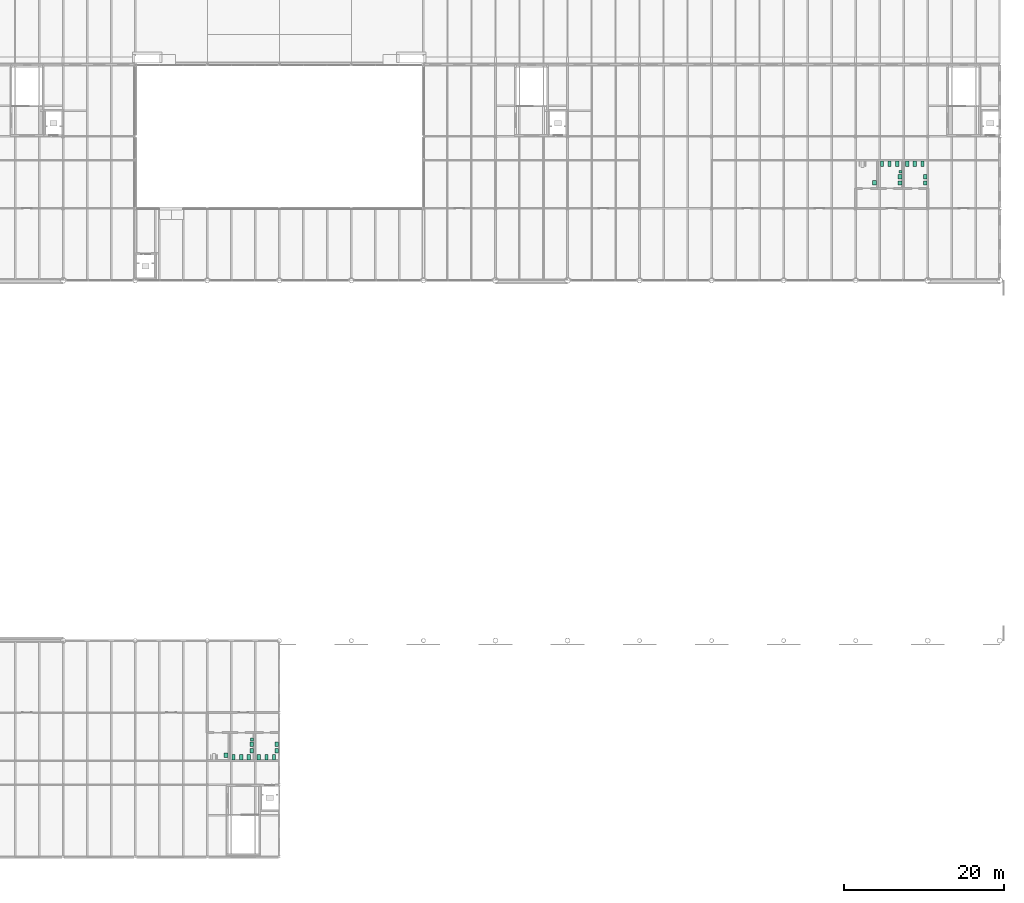
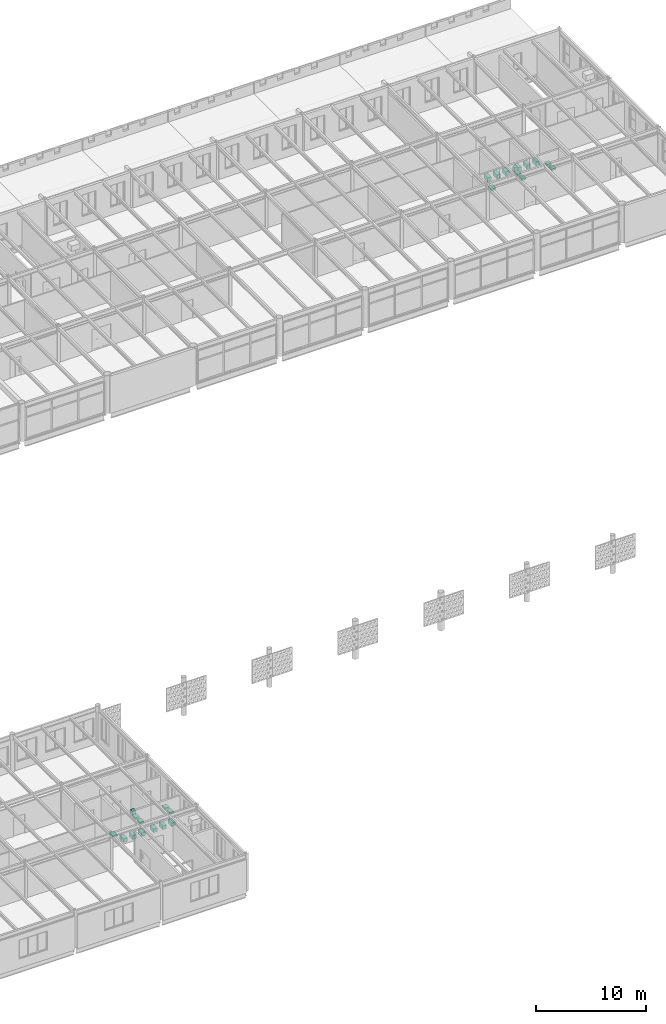
# One storey, part 122 of 123: 24 sanitary terminals.
"""IFC4 building model written with IfcOpenShell, lengths in metres."""

from ifc_helpers import new_model, si_unit, direction, frame, origin, origin_2d, place, context, subcontext, project, spatial, rectangle, extrude, material, type_object, element, save


model = new_model("IFC4")

# Units and contexts
model_context = context("Model", 3, precision=1e-05, world=origin(), true_north=direction((0.0, 1.0)))
body_context = subcontext(model_context, "Body", "Model", "MODEL_VIEW")
ifc_project = project(units=[si_unit("LENGTHUNIT", "METRE"), si_unit("AREAUNIT", "SQUARE_METRE"), si_unit("VOLUMEUNIT", "CUBIC_METRE"), si_unit("PLANEANGLEUNIT", "RADIAN"), si_unit("MASSUNIT", "GRAM", prefix="KILO")], contexts=[model_context])

# Site, building, storey
site_placement = place(None, origin())
site = spatial("IfcSite", under=ifc_project, at=site_placement, CompositionType="ELEMENT")
building_placement = place(site_placement, origin())
building = spatial("IfcBuilding", under=site, at=building_placement, Name="Baradari Gate Terminus", CompositionType="ELEMENT")
storey_placement = place(building_placement, frame((0.0, 0.0, 7.5)))
storey = spatial("IfcBuildingStorey", under=building, at=storey_placement, Name="L01", CompositionType="ELEMENT", Elevation=7.5)

# Sanitary terminals
ifc_material_1 = material(Name="Vitreous china", Category="ceramic")
sanitary_terminal_type_1 = type_object("IfcSanitaryTerminalType", Name="Accessible wash basin SW-6", PredefinedType="WASHHANDBASIN", material=ifc_material_1)
for number, where, z_axis, x_axis, name in (
    (1, (227.362548828125, 93.1875, 0.75), (0.0, 0.0, 1.0), (1.0, 0.0, 0.0), "Accessible wash basin Accessible WC"),
    (2, (146.362548828125, 21.6875, 0.75), (0.0, 0.0, 1.0), (1.0, 0.0, 0.0), "Accessible wash basin Accessible WC"),
):
    element("IfcSanitaryTerminal", number, at=place(storey_placement, frame(where, z_axis=z_axis, x_axis=x_axis)), inside=storey, type_object=sanitary_terminal_type_1, Name=name, PredefinedType="WASHHANDBASIN", context=body_context, shape_type="SweptSolid", body=[
        extrude(rectangle(XDim=0.5, YDim=0.60009765625, at=origin_2d()), origin(), (0.0, 0.0, 1.0), 0.199951171875),
    ])
ifc_material_2 = material(Name="Vitreous china", Category="ceramic")
sanitary_terminal_type_2 = type_object("IfcSanitaryTerminalType", Name="Urinal SW-3", PredefinedType="URINAL", material=ifc_material_2)
for number, where, z_axis, x_axis, name in (
    (3, (230.58740234375, 94.5625, 0.64990234375), (0.0, 0.0, 1.0), (1.0, 0.0, 0.0), "Urinal Male WC"),
    (4, (149.58740234375, 23.66259765625, 0.64990234375), (0.0, 0.0, 1.0), (1.0, 0.0, 0.0), "Urinal Male WC"),
):
    element("IfcSanitaryTerminal", number, at=place(storey_placement, frame(where, z_axis=z_axis, x_axis=x_axis)), inside=storey, type_object=sanitary_terminal_type_2, Name=name, PredefinedType="URINAL", context=body_context, shape_type="SweptSolid", body=[
        extrude(rectangle(XDim=0.35009765625, YDim=0.35009765625, at=origin_2d()), origin(), (0.0, 0.0, 1.0), 0.60009765625),
    ])
ifc_material_3 = material(Name="Vitreous china", Category="ceramic")
sanitary_terminal_type_3 = type_object("IfcSanitaryTerminalType", Name="WC pan SW-1", PredefinedType="TOILETPAN", material=ifc_material_3)
for number, where, z_axis, x_axis, name in (
    (5, (228.28759765625, 95.5625, 0.0), (0.0, 0.0, 1.0), (1.0, 0.0, 0.0), "WC pan Male WC"),
    (6, (229.237548828125, 95.5625, 0.0), (0.0, 0.0, 1.0), (1.0, 0.0, 0.0), "WC pan Male WC"),
    (7, (230.1875, 95.5625, 0.0), (0.0, 0.0, 1.0), (1.0, 0.0, 0.0), "WC pan Male WC"),
    (8, (231.4375, 95.5625, 0.0), (0.0, 0.0, 1.0), (1.0, 0.0, 0.0), "WC pan Female WC"),
    (9, (232.387451171875, 95.5625, 0.0), (0.0, 0.0, 1.0), (1.0, 0.0, 0.0), "WC pan Female WC"),
    (10, (233.33740234375, 95.5625, 0.0), (0.0, 0.0, 1.0), (1.0, 0.0, 0.0), "WC pan Female WC"),
    (11, (147.28759765625, 21.4375, 0.0), (0.0, 0.0, 1.0), (1.0, 0.0, 0.0), "WC pan Male WC"),
    (12, (148.237548828125, 21.4375, 0.0), (0.0, 0.0, 1.0), (1.0, 0.0, 0.0), "WC pan Male WC"),
    (13, (149.1875, 21.4375, 0.0), (0.0, 0.0, 1.0), (1.0, 0.0, 0.0), "WC pan Male WC"),
    (14, (150.4375, 21.4375, 0.0), (0.0, 0.0, 1.0), (1.0, 0.0, 0.0), "WC pan Female WC"),
    (15, (151.387451171875, 21.4375, 0.0), (0.0, 0.0, 1.0), (1.0, 0.0, 0.0), "WC pan Female WC"),
    (16, (152.33740234375, 21.4375, 0.0), (0.0, 0.0, 1.0), (1.0, 0.0, 0.0), "WC pan Female WC"),
):
    element("IfcSanitaryTerminal", number, at=place(storey_placement, frame(where, z_axis=z_axis, x_axis=x_axis)), inside=storey, type_object=sanitary_terminal_type_3, Name=name, PredefinedType="TOILETPAN", context=body_context, shape_type="SweptSolid", body=[
        extrude(rectangle(XDim=0.39990234375, YDim=0.699951171875, at=origin_2d()), origin(), (0.0, 0.0, 1.0), 0.419921875),
    ])
ifc_material_4 = material(Name="Vitreous china", Category="ceramic")
sanitary_terminal_type_4 = type_object("IfcSanitaryTerminalType", Name="Wash basin SW-2", PredefinedType="WASHHANDBASIN", material=ifc_material_4)
for number, where, z_axis, x_axis, name in (
    (17, (230.53759765625, 93.16259765625, 0.75), (0.0, 0.0, 1.0), (1.0, 0.0, 0.0), "Wash basin Male WC"),
    (18, (230.53759765625, 93.96240234375, 0.75), (0.0, 0.0, 1.0), (1.0, 0.0, 0.0), "Wash basin Male WC"),
    (19, (233.6875, 93.16259765625, 0.75), (0.0, 0.0, 1.0), (1.0, 0.0, 0.0), "Wash basin Female WC"),
    (20, (233.6875, 93.96240234375, 0.75), (0.0, 0.0, 1.0), (1.0, 0.0, 0.0), "Wash basin Female WC"),
    (21, (149.53759765625, 22.262451171875, 0.75), (0.0, 0.0, 1.0), (1.0, 0.0, 0.0), "Wash basin Male WC"),
    (22, (149.53759765625, 23.0625, 0.75), (0.0, 0.0, 1.0), (1.0, 0.0, 0.0), "Wash basin Male WC"),
    (23, (152.6650390625, 22.262451171875, 0.75), (0.0, 0.0, 1.0), (1.0, 0.0, 0.0), "Wash basin Female WC"),
    (24, (152.6650390625, 23.0625, 0.75), (0.0, 0.0, 1.0), (1.0, 0.0, 0.0), "Wash basin Female WC"),
):
    element("IfcSanitaryTerminal", number, at=place(storey_placement, frame(where, z_axis=z_axis, x_axis=x_axis)), inside=storey, type_object=sanitary_terminal_type_4, Name=name, PredefinedType="WASHHANDBASIN", context=body_context, shape_type="SweptSolid", body=[
        extrude(rectangle(XDim=0.449951171875, YDim=0.550048828125, at=origin_2d()), origin(), (0.0, 0.0, 1.0), 0.199951171875),
    ])

save(model, "model.ifc")
